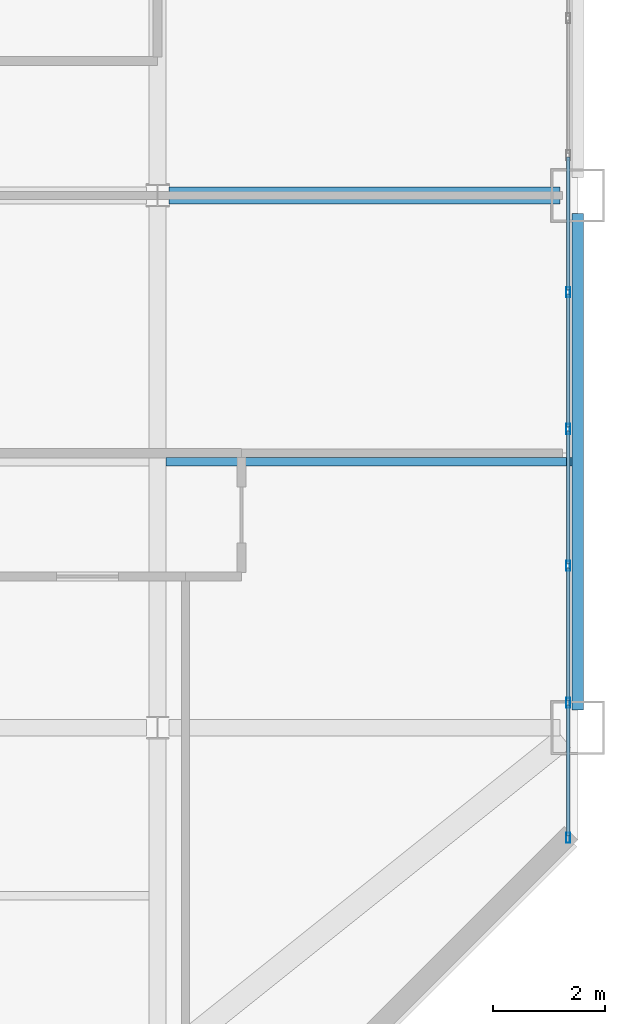
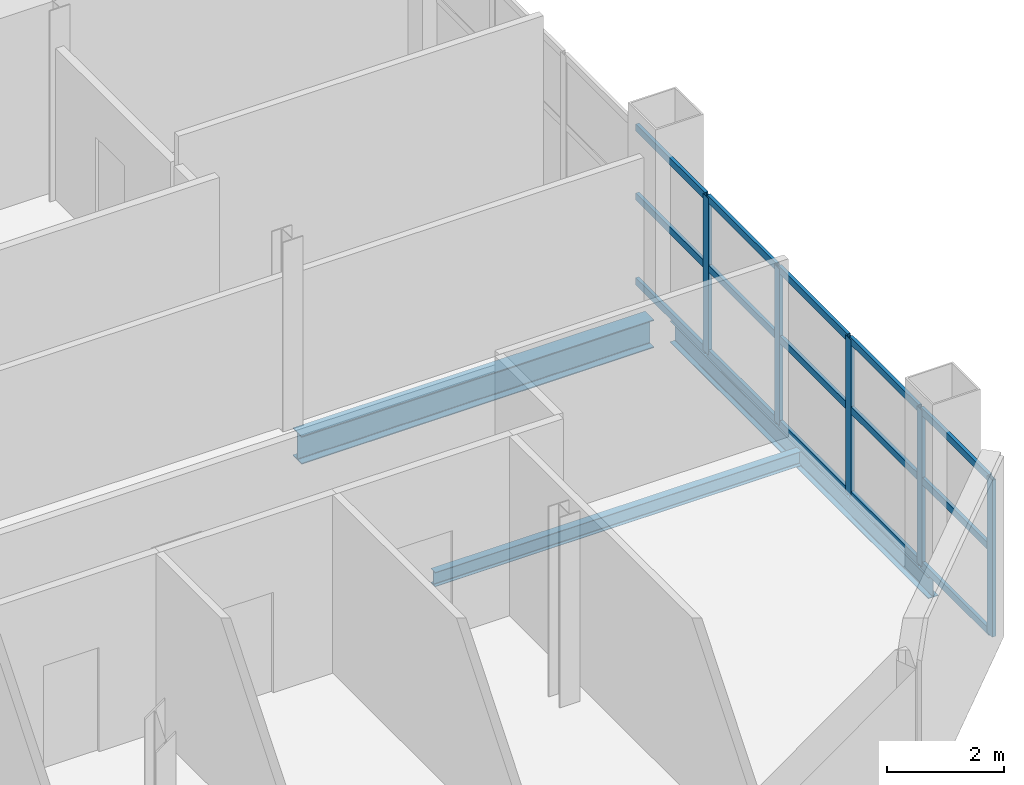
# One storey, part 4 of 14: 20 members, 3 beams, 1 element without a shape of its own.
"""IFC4 building model written with IfcOpenShell, lengths in metres."""

from ifc_helpers import new_model, si_unit, direction, frame, origin, origin_2d, place, context, subcontext, project, spatial, hollow_rectangle, i_section, extrude, material, layer, layer_set, material_profile, profile_set, type_object, element, aggregate, save


model = new_model("IFC4")

# Units and contexts
model_context = context("Model", 3, precision=1e-05, world=origin(), true_north=direction((0.0, 1.0)))
body_context = subcontext(model_context, "Body", "Model", "MODEL_VIEW")
ifc_project = project(units=[si_unit("LENGTHUNIT", "METRE"), si_unit("AREAUNIT", "SQUARE_METRE"), si_unit("VOLUMEUNIT", "CUBIC_METRE"), si_unit("PLANEANGLEUNIT", "RADIAN"), si_unit("MASSUNIT", "GRAM", prefix="KILO")], contexts=[model_context])

# Site, building, storey
site_placement = place(None, origin())
site = spatial("IfcSite", under=ifc_project, at=site_placement, CompositionType="ELEMENT")
building_placement = place(site_placement, origin())
building = spatial("IfcBuilding", under=site, at=building_placement, Name="Qianrong Seaharbour Tower", CompositionType="ELEMENT")
storey_placement = place(building_placement, frame((0.0, 0.0, 209.800048828125)))
storey = spatial("IfcBuildingStorey", under=building, at=storey_placement, Name="L50", CompositionType="ELEMENT", Elevation=209.800048828125)

# Beams
ifc_material_1 = material(Name="Structural steel SN490B", Category="steel")
ifc_material_profile_1 = material_profile(ifc_material_1, i_section(OverallWidth=0.300048828125, OverallDepth=0.587890625, WebThickness=0.011962890625, FlangeThickness=0.02001953125, FilletRadius=0.02392578125, at=origin_2d()), Name="H588x300x12x20")
ifc_profile_set_1 = profile_set([ifc_material_profile_1], Name="Structural steel SN490B")
beam_type_1 = type_object("IfcBeamType", Name="BM-G-588", PredefinedType="BEAM", material=ifc_profile_set_1)
beam_1_placement = place(storey_placement, frame((56.699951171875, 28.0, -0.51904296875), z_axis=(1.0, 0.0, 0.0), x_axis=(0.0, 1.0, 0.0)))
element("IfcBeam", 1, at=beam_1_placement, inside=storey, type_object=beam_type_1, Name="L50 Primary Girder GE G8-G9", PredefinedType="BEAM", context=body_context, shape_type="SweptSolid", body=[
    extrude(i_section(OverallWidth=0.300048828125, OverallDepth=0.587890625, WebThickness=0.011962890625, FlangeThickness=0.02001953125, FilletRadius=0.02392578125, at=origin_2d()), origin(), (0.0, 0.0, 1.0), 6.97998046875),
])
ifc_material_2 = material(Name="Structural steel SN400B", Category="steel")
ifc_material_profile_2 = material_profile(ifc_material_2, i_section(OverallWidth=0.14990234375, OverallDepth=0.300048828125, WebThickness=0.006591796875, FlangeThickness=0.009033203125, FilletRadius=0.012939453125, at=origin_2d()), Name="H300x150x6.5x9")
ifc_profile_set_2 = profile_set([ifc_material_profile_2], Name="Structural steel SN400B")
beam_type_2 = type_object("IfcBeamType", Name="BM-J-300", PredefinedType="JOIST", material=ifc_profile_set_2)
beam_2_placement = place(storey_placement, frame((56.64990234375, 23.25, -0.375), z_axis=(1.0, 0.0, 0.0), x_axis=(0.0, 1.0, 0.0)))
element("IfcBeam", 2, at=beam_2_placement, inside=storey, type_object=beam_type_2, Name="L50 Composite Floor Joist G8-G9/GD-GE", PredefinedType="JOIST", context=body_context, shape_type="SweptSolid", body=[
    extrude(i_section(OverallWidth=0.14990234375, OverallDepth=0.300048828125, WebThickness=0.006591796875, FlangeThickness=0.009033203125, FilletRadius=0.012939453125, at=origin_2d()), origin(), (0.0, 0.0, 1.0), 7.25),
])
ifc_material_profile_3 = material_profile(ifc_material_2, i_section(OverallWidth=0.199951171875, OverallDepth=0.449951171875, WebThickness=0.009033203125, FlangeThickness=0.013916015625, FilletRadius=0.01806640625, at=origin_2d()), Name="H450x200x9x14")
ifc_profile_set_3 = profile_set([ifc_material_profile_3], Name="Structural steel SN400B")
beam_type_3 = type_object("IfcBeamType", Name="BM-SP-450", PredefinedType="SPANDREL", material=ifc_profile_set_3)
beam_3_placement = place(storey_placement, frame((64.0, 18.820068359375, -0.449951171875), z_axis=(0.0, 1.0, 0.0), x_axis=(-1.0, 0.0, 0.0)))
element("IfcBeam", 3, at=beam_3_placement, inside=storey, type_object=beam_type_3, Name="L50 Spandrel Girder G9 GD-GE", PredefinedType="SPANDREL", context=body_context, shape_type="SweptSolid", body=[
    extrude(i_section(OverallWidth=0.199951171875, OverallDepth=0.449951171875, WebThickness=0.009033203125, FlangeThickness=0.013916015625, FilletRadius=0.01806640625, at=origin_2d()), origin(), (0.0, 0.0, 1.0), 8.85986328125),
])

# Curtain wall, members
ifc_material_3 = material(Name="Anodised aluminium 6063-T6 and laminated low-e glass", Category="aluminium")
ifc_layer = layer(ifc_material_3, 0.195068359375)
ifc_layer_set = layer_set([ifc_layer], Name="Anodised aluminium 6063-T6 and laminated low-e glass")
curtain_wall_type = type_object("IfcCurtainWallType", Name="CW-SYS-3", PredefinedType="NOTDEFINED", material=ifc_layer_set)
curtain_wall_placement = place(storey_placement, origin())
curtain_wall = element("IfcCurtainWall", 4, at=curtain_wall_placement, inside=storey, type_object=curtain_wall_type, Name="L50 Sky-Garden Wintergarden Curtain Wall EAST_WING", PredefinedType="NOTDEFINED")
ifc_material_4 = material(Name="Extruded aluminium 6063-T6", Category="aluminium")
ifc_material_profile_4 = material_profile(ifc_material_4, hollow_rectangle(XDim=0.070068359375, YDim=0.179931640625, WallThickness=0.00390625, at=origin_2d()), Name="ALU-MUL-180x70x4")
ifc_profile_set_4 = profile_set([ifc_material_profile_4], Name="Extruded aluminium 6063-T6")
member_type_1 = type_object("IfcMemberType", Name="CW-MUL-180", PredefinedType="MULLION", material=ifc_profile_set_4)
member_1_placement = place(storey_placement, frame((63.830078125, 26.27490234375, 0.0), z_axis=(0.0, 0.0, 1.0), x_axis=(1.0, 0.0, 0.0)))
member_1 = element("IfcMember", 5, at=member_1_placement, type_object=member_type_1, Name="CW-3 mullion 5", PredefinedType="MULLION", context=body_context, shape_type="SweptSolid", body=[
    extrude(hollow_rectangle(XDim=0.070068359375, YDim=0.179931640625, WallThickness=0.00390625, at=origin_2d()), origin(), (0.0, 0.0, 1.0), 3.284912109375),
])
member_2_placement = place(storey_placement, frame((63.830078125, 23.831298828125, 0.0), z_axis=(0.0, 0.0, 1.0), x_axis=(1.0, 0.0, 0.0)))
member_2 = element("IfcMember", 6, at=member_2_placement, type_object=member_type_1, Name="CW-3 mullion 6", PredefinedType="MULLION", context=body_context, shape_type="SweptSolid", body=[
    extrude(hollow_rectangle(XDim=0.070068359375, YDim=0.179931640625, WallThickness=0.00390625, at=origin_2d()), origin(), (0.0, 0.0, 1.0), 3.284912109375),
])
member_3_placement = place(storey_placement, frame((63.830078125, 21.387451171875, 0.0), z_axis=(0.0, 0.0, 1.0), x_axis=(1.0, 0.0, 0.0)))
member_3 = element("IfcMember", 7, at=member_3_placement, type_object=member_type_1, Name="CW-3 mullion 7", PredefinedType="MULLION", context=body_context, shape_type="SweptSolid", body=[
    extrude(hollow_rectangle(XDim=0.070068359375, YDim=0.179931640625, WallThickness=0.00390625, at=origin_2d()), origin(), (0.0, 0.0, 1.0), 3.284912109375),
])
member_4_placement = place(storey_placement, frame((63.830078125, 18.94384765625, 0.0), z_axis=(0.0, 0.0, 1.0), x_axis=(1.0, 0.0, 0.0)))
member_4 = element("IfcMember", 8, at=member_4_placement, type_object=member_type_1, Name="CW-3 mullion 8", PredefinedType="MULLION", context=body_context, shape_type="SweptSolid", body=[
    extrude(hollow_rectangle(XDim=0.070068359375, YDim=0.179931640625, WallThickness=0.00390625, at=origin_2d()), origin(), (0.0, 0.0, 1.0), 3.284912109375),
])
member_5_placement = place(storey_placement, frame((63.830078125, 16.534912109375, 0.0), z_axis=(0.0, 0.0, 1.0), x_axis=(1.0, 0.0, 0.0)))
member_5 = element("IfcMember", 9, at=member_5_placement, type_object=member_type_1, Name="CW-3 mullion 9", PredefinedType="MULLION", context=body_context, shape_type="SweptSolid", body=[
    extrude(hollow_rectangle(XDim=0.070068359375, YDim=0.179931640625, WallThickness=0.00390625, at=origin_2d()), origin(), (0.0, 0.0, 1.0), 3.284912109375),
])
ifc_material_profile_5 = material_profile(ifc_material_4, hollow_rectangle(XDim=0.06494140625, YDim=0.14990234375, WallThickness=0.00390625, at=origin_2d()), Name="ALU-TRN-150x65x4")
ifc_profile_set_5 = profile_set([ifc_material_profile_5], Name="Extruded aluminium 6063-T6")
member_type_2 = type_object("IfcMemberType", Name="CW-TRN-150", PredefinedType="USERDEFINED", material=ifc_profile_set_5)
member_6_placement = place(storey_placement, frame((63.830078125, 28.683837890625, 0.032470703125), z_axis=(0.0, -1.0, 0.0), x_axis=(1.0, 0.0, 0.0)))
member_6 = element("IfcMember", 10, at=member_6_placement, type_object=member_type_2, Name="CW-3 transom 4.1", ObjectType="TRANSOM", PredefinedType="USERDEFINED", context=body_context, shape_type="SweptSolid", body=[
    extrude(hollow_rectangle(XDim=0.06494140625, YDim=0.14990234375, WallThickness=0.00390625, at=origin_2d()), origin(), (0.0, 0.0, 1.0), 2.373779296875),
])
member_7_placement = place(storey_placement, frame((63.830078125, 28.683837890625, 1.806640625), z_axis=(0.0, -1.0, 0.0), x_axis=(1.0, 0.0, 0.0)))
member_7 = element("IfcMember", 11, at=member_7_placement, type_object=member_type_2, Name="CW-3 transom 4.2", ObjectType="TRANSOM", PredefinedType="USERDEFINED", context=body_context, shape_type="SweptSolid", body=[
    extrude(hollow_rectangle(XDim=0.06494140625, YDim=0.14990234375, WallThickness=0.00390625, at=origin_2d()), origin(), (0.0, 0.0, 1.0), 2.373779296875),
])
member_8_placement = place(storey_placement, frame((63.830078125, 28.683837890625, 3.25244140625), z_axis=(0.0, -1.0, 0.0), x_axis=(1.0, 0.0, 0.0)))
member_8 = element("IfcMember", 12, at=member_8_placement, type_object=member_type_2, Name="CW-3 transom 4.3", ObjectType="TRANSOM", PredefinedType="USERDEFINED", context=body_context, shape_type="SweptSolid", body=[
    extrude(hollow_rectangle(XDim=0.06494140625, YDim=0.14990234375, WallThickness=0.00390625, at=origin_2d()), origin(), (0.0, 0.0, 1.0), 2.373779296875),
])
member_9_placement = place(storey_placement, frame((63.830078125, 26.239990234375, 0.032470703125), z_axis=(0.0, -1.0, 0.0), x_axis=(1.0, 0.0, 0.0)))
member_9 = element("IfcMember", 13, at=member_9_placement, type_object=member_type_2, Name="CW-3 transom 5.1", ObjectType="TRANSOM", PredefinedType="USERDEFINED", context=body_context, shape_type="SweptSolid", body=[
    extrude(hollow_rectangle(XDim=0.06494140625, YDim=0.14990234375, WallThickness=0.00390625, at=origin_2d()), origin(), (0.0, 0.0, 1.0), 2.373779296875),
])
member_10_placement = place(storey_placement, frame((63.830078125, 26.239990234375, 1.806640625), z_axis=(0.0, -1.0, 0.0), x_axis=(1.0, 0.0, 0.0)))
member_10 = element("IfcMember", 14, at=member_10_placement, type_object=member_type_2, Name="CW-3 transom 5.2", ObjectType="TRANSOM", PredefinedType="USERDEFINED", context=body_context, shape_type="SweptSolid", body=[
    extrude(hollow_rectangle(XDim=0.06494140625, YDim=0.14990234375, WallThickness=0.00390625, at=origin_2d()), origin(), (0.0, 0.0, 1.0), 2.373779296875),
])
member_11_placement = place(storey_placement, frame((63.830078125, 26.239990234375, 3.25244140625), z_axis=(0.0, -1.0, 0.0), x_axis=(1.0, 0.0, 0.0)))
member_11 = element("IfcMember", 15, at=member_11_placement, type_object=member_type_2, Name="CW-3 transom 5.3", ObjectType="TRANSOM", PredefinedType="USERDEFINED", context=body_context, shape_type="SweptSolid", body=[
    extrude(hollow_rectangle(XDim=0.06494140625, YDim=0.14990234375, WallThickness=0.00390625, at=origin_2d()), origin(), (0.0, 0.0, 1.0), 2.373779296875),
])
member_12_placement = place(storey_placement, frame((63.830078125, 23.796142578125, 0.032470703125), z_axis=(0.0, -1.0, 0.0), x_axis=(1.0, 0.0, 0.0)))
member_12 = element("IfcMember", 16, at=member_12_placement, type_object=member_type_2, Name="CW-3 transom 6.1", ObjectType="TRANSOM", PredefinedType="USERDEFINED", context=body_context, shape_type="SweptSolid", body=[
    extrude(hollow_rectangle(XDim=0.06494140625, YDim=0.14990234375, WallThickness=0.00390625, at=origin_2d()), origin(), (0.0, 0.0, 1.0), 2.37353515625),
])
member_13_placement = place(storey_placement, frame((63.830078125, 23.796142578125, 1.806640625), z_axis=(0.0, -1.0, 0.0), x_axis=(1.0, 0.0, 0.0)))
member_13 = element("IfcMember", 17, at=member_13_placement, type_object=member_type_2, Name="CW-3 transom 6.2", ObjectType="TRANSOM", PredefinedType="USERDEFINED", context=body_context, shape_type="SweptSolid", body=[
    extrude(hollow_rectangle(XDim=0.06494140625, YDim=0.14990234375, WallThickness=0.00390625, at=origin_2d()), origin(), (0.0, 0.0, 1.0), 2.37353515625),
])
member_14_placement = place(storey_placement, frame((63.830078125, 23.796142578125, 3.25244140625), z_axis=(0.0, -1.0, 0.0), x_axis=(1.0, 0.0, 0.0)))
member_14 = element("IfcMember", 18, at=member_14_placement, type_object=member_type_2, Name="CW-3 transom 6.3", ObjectType="TRANSOM", PredefinedType="USERDEFINED", context=body_context, shape_type="SweptSolid", body=[
    extrude(hollow_rectangle(XDim=0.06494140625, YDim=0.14990234375, WallThickness=0.00390625, at=origin_2d()), origin(), (0.0, 0.0, 1.0), 2.37353515625),
])
member_15_placement = place(storey_placement, frame((63.830078125, 21.3525390625, 0.032470703125), z_axis=(0.0, -1.0, 0.0), x_axis=(1.0, 0.0, 0.0)))
member_15 = element("IfcMember", 19, at=member_15_placement, type_object=member_type_2, Name="CW-3 transom 7.1", ObjectType="TRANSOM", PredefinedType="USERDEFINED", context=body_context, shape_type="SweptSolid", body=[
    extrude(hollow_rectangle(XDim=0.06494140625, YDim=0.14990234375, WallThickness=0.00390625, at=origin_2d()), origin(), (0.0, 0.0, 1.0), 2.373779296875),
])
member_16_placement = place(storey_placement, frame((63.830078125, 21.3525390625, 1.806640625), z_axis=(0.0, -1.0, 0.0), x_axis=(1.0, 0.0, 0.0)))
member_16 = element("IfcMember", 20, at=member_16_placement, type_object=member_type_2, Name="CW-3 transom 7.2", ObjectType="TRANSOM", PredefinedType="USERDEFINED", context=body_context, shape_type="SweptSolid", body=[
    extrude(hollow_rectangle(XDim=0.06494140625, YDim=0.14990234375, WallThickness=0.00390625, at=origin_2d()), origin(), (0.0, 0.0, 1.0), 2.373779296875),
])
member_17_placement = place(storey_placement, frame((63.830078125, 21.3525390625, 3.25244140625), z_axis=(0.0, -1.0, 0.0), x_axis=(1.0, 0.0, 0.0)))
member_17 = element("IfcMember", 21, at=member_17_placement, type_object=member_type_2, Name="CW-3 transom 7.3", ObjectType="TRANSOM", PredefinedType="USERDEFINED", context=body_context, shape_type="SweptSolid", body=[
    extrude(hollow_rectangle(XDim=0.06494140625, YDim=0.14990234375, WallThickness=0.00390625, at=origin_2d()), origin(), (0.0, 0.0, 1.0), 2.373779296875),
])
member_18_placement = place(storey_placement, frame((63.830078125, 18.90869140625, 0.032470703125), z_axis=(0.0, -1.0, 0.0), x_axis=(1.0, 0.0, 0.0)))
member_18 = element("IfcMember", 22, at=member_18_placement, type_object=member_type_2, Name="CW-3 transom 8.1", ObjectType="TRANSOM", PredefinedType="USERDEFINED", context=body_context, shape_type="SweptSolid", body=[
    extrude(hollow_rectangle(XDim=0.06494140625, YDim=0.14990234375, WallThickness=0.00390625, at=origin_2d()), origin(), (0.0, 0.0, 1.0), 2.338623046875),
])
member_19_placement = place(storey_placement, frame((63.830078125, 18.90869140625, 1.806640625), z_axis=(0.0, -1.0, 0.0), x_axis=(1.0, 0.0, 0.0)))
member_19 = element("IfcMember", 23, at=member_19_placement, type_object=member_type_2, Name="CW-3 transom 8.2", ObjectType="TRANSOM", PredefinedType="USERDEFINED", context=body_context, shape_type="SweptSolid", body=[
    extrude(hollow_rectangle(XDim=0.06494140625, YDim=0.14990234375, WallThickness=0.00390625, at=origin_2d()), origin(), (0.0, 0.0, 1.0), 2.338623046875),
])
member_20_placement = place(storey_placement, frame((63.830078125, 18.90869140625, 3.25244140625), z_axis=(0.0, -1.0, 0.0), x_axis=(1.0, 0.0, 0.0)))
member_20 = element("IfcMember", 24, at=member_20_placement, type_object=member_type_2, Name="CW-3 transom 8.3", ObjectType="TRANSOM", PredefinedType="USERDEFINED", context=body_context, shape_type="SweptSolid", body=[
    extrude(hollow_rectangle(XDim=0.06494140625, YDim=0.14990234375, WallThickness=0.00390625, at=origin_2d()), origin(), (0.0, 0.0, 1.0), 2.338623046875),
])
aggregate(curtain_wall, [member_1, member_2, member_3, member_4, member_5, member_6, member_7, member_8, member_9, member_10, member_11, member_12, member_13, member_14, member_15, member_16, member_17, member_18, member_19, member_20])

save(model, "model.ifc")
